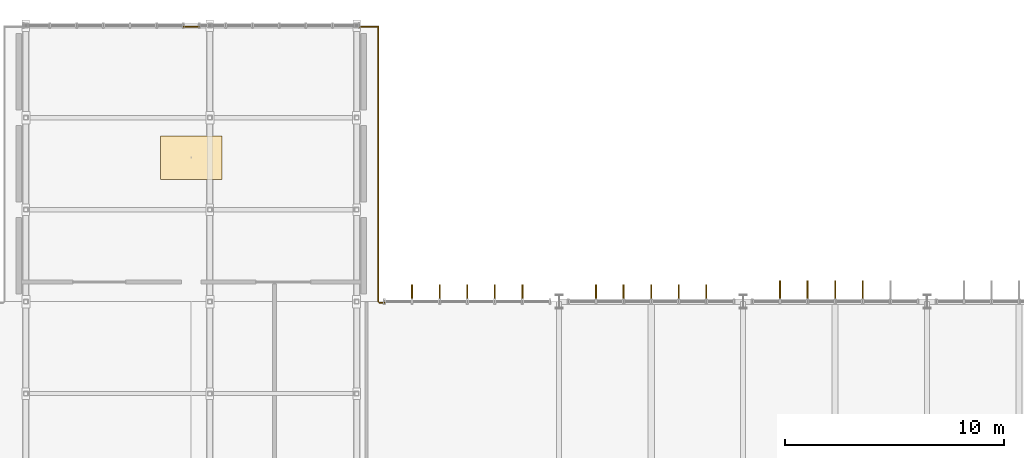
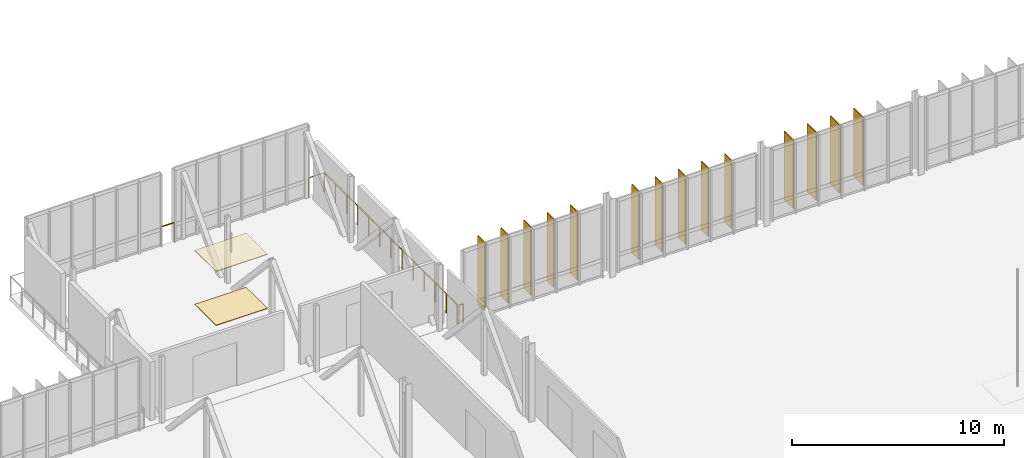
# One storey, part 137 of 139: 14 shading devices, 9 railings, 2 coverings.
"""IFC4 building model written with IfcOpenShell, lengths in metres."""

from ifc_helpers import new_model, si_unit, derived_unit, direction, frame, origin, origin_2d, place, context, subcontext, project, spatial, polyline, rectangle, circle, outline, extrude, material, layer, layer_set, type_object, element, save


model = new_model("IFC4")

# Units and contexts
model_context = context("Model", 3, precision=1e-05, world=origin(), true_north=direction((0.0, 1.0)))
body_context = subcontext(model_context, "Body", "Model", "MODEL_VIEW")
ifc_project = project(units=[si_unit("LENGTHUNIT", "METRE"), si_unit("AREAUNIT", "SQUARE_METRE"), si_unit("VOLUMEUNIT", "CUBIC_METRE"), si_unit("PLANEANGLEUNIT", "RADIAN"), si_unit("MASSUNIT", "GRAM", prefix="KILO"), derived_unit("THERMALTRANSMITTANCEUNIT", [(si_unit("MASSUNIT", "GRAM", prefix="KILO"), 1), (si_unit("TIMEUNIT", "SECOND"), -3), (si_unit("THERMODYNAMICTEMPERATUREUNIT", "KELVIN"), -1)])], contexts=[model_context])

# Site, building, storey
site_placement = place(None, origin())
site = spatial("IfcSite", under=ifc_project, at=site_placement, CompositionType="ELEMENT")
building_placement = place(site_placement, origin())
building = spatial("IfcBuilding", under=site, at=building_placement, Name="Makaiwela Harbour Ferry Terminal", CompositionType="ELEMENT")
storey_placement = place(building_placement, frame((0.0, 0.0, 5.10009765625)))
storey = spatial("IfcBuildingStorey", under=building, at=storey_placement, Name="L01", CompositionType="ELEMENT", Elevation=5.10009765625)

# Shading devices
ifc_material_1 = material(Name="Marine anodised aluminium 6063-T6", Category="aluminium")
ifc_layer_1 = layer(ifc_material_1, 0.054931640625)
ifc_layer_set_1 = layer_set([ifc_layer_1], Name="Marine anodised aluminium 6063-T6")
shading_device_type_1 = type_object("IfcShadingDeviceType", Name="ENV-FIN-650", PredefinedType="USERDEFINED", material=ifc_layer_set_1)
for number, where, z_axis, x_axis, name in (
    (1, (106.679931640625, 103.837890625, 0.161865234375), (0.0, 0.0, 1.0), (0.0, 1.0, 0.0), "Vertical Solar Fin SFN-0258"),
    (2, (107.93994140625, 103.837890625, 0.161865234375), (0.0, 0.0, 1.0), (0.0, 1.0, 0.0), "Vertical Solar Fin SFN-0259"),
    (3, (109.199951171875, 103.837890625, 0.161865234375), (0.0, 0.0, 1.0), (0.0, 1.0, 0.0), "Vertical Solar Fin SFN-0260"),
    (4, (110.4599609375, 103.837890625, 0.161865234375), (0.0, 0.0, 1.0), (0.0, 1.0, 0.0), "Vertical Solar Fin SFN-0261"),
    (5, (111.719970703125, 103.837890625, 0.161865234375), (0.0, 0.0, 1.0), (0.0, 1.0, 0.0), "Vertical Solar Fin SFN-0262"),
    (6, (115.080078125, 103.837890625, 0.161865234375), (0.0, 0.0, 1.0), (0.0, 1.0, 0.0), "Vertical Solar Fin SFN-0273"),
    (7, (116.340087890625, 103.837890625, 0.161865234375), (0.0, 0.0, 1.0), (0.0, 1.0, 0.0), "Vertical Solar Fin SFN-0274"),
    (8, (117.60009765625, 103.837890625, 0.161865234375), (0.0, 0.0, 1.0), (0.0, 1.0, 0.0), "Vertical Solar Fin SFN-0275"),
    (9, (118.860107421875, 103.837890625, 0.161865234375), (0.0, 0.0, 1.0), (0.0, 1.0, 0.0), "Vertical Solar Fin SFN-0276"),
    (10, (120.1201171875, 103.837890625, 0.161865234375), (0.0, 0.0, 1.0), (0.0, 1.0, 0.0), "Vertical Solar Fin SFN-0277"),
):
    element("IfcShadingDevice", number, at=place(storey_placement, frame(where, z_axis=z_axis, x_axis=x_axis)), inside=storey, type_object=shading_device_type_1, Name=name, ObjectType="SOLAR FIN", PredefinedType="USERDEFINED", context=body_context, shape_type="SweptSolid", body=[
        extrude(rectangle(XDim=0.64990234375, YDim=0.054931640625, at=origin_2d()), origin(), (0.0, 0.0, 1.0), 3.93994140625),
    ])
ifc_material_2 = material(Name="Thermally modified Accoya timber and anodised aluminium", Category="wood")
ifc_layer_2 = layer(ifc_material_2, 0.06005859375)
ifc_layer_set_2 = layer_set([ifc_layer_2], Name="Thermally modified Accoya timber and anodised aluminium")
shading_device_type_2 = type_object("IfcShadingDeviceType", Name="ENV-FIN-850", PredefinedType="USERDEFINED", material=ifc_layer_set_2)
for number, where, z_axis, x_axis, name in (
    (11, (123.47998046875, 103.93798828125, 0.161865234375), (0.0, 0.0, 1.0), (0.0, 1.0, 0.0), "Vertical Solar Fin SFN-0293"),
    (12, (124.739990234375, 103.93798828125, 0.161865234375), (0.0, 0.0, 1.0), (0.0, 1.0, 0.0), "Vertical Solar Fin SFN-0294"),
    (13, (126.0, 103.93798828125, 0.161865234375), (0.0, 0.0, 1.0), (0.0, 1.0, 0.0), "Vertical Solar Fin SFN-0295"),
    (14, (127.260009765625, 103.93798828125, 0.161865234375), (0.0, 0.0, 1.0), (0.0, 1.0, 0.0), "Vertical Solar Fin SFN-0296"),
):
    element("IfcShadingDevice", number, at=place(storey_placement, frame(where, z_axis=z_axis, x_axis=x_axis)), inside=storey, type_object=shading_device_type_2, Name=name, ObjectType="SOLAR FIN", PredefinedType="USERDEFINED", context=body_context, shape_type="SweptSolid", body=[
        extrude(rectangle(XDim=0.85009765625, YDim=0.06005859375, at=origin_2d()), origin(), (0.0, 0.0, 1.0), 3.93994140625),
    ])

# Coverings
ifc_material_3 = material(Name="Thermally modified Accoya timber acoustic slat ceiling", Category="wood")
ifc_layer_3 = layer(ifc_material_3, 0.0400390625)
ifc_layer_set_3 = layer_set([ifc_layer_3], Name="Thermally modified Accoya timber acoustic slat ceiling")
covering_type_1 = type_object("IfcCoveringType", Name="INT-COV-CEIL", PredefinedType="CEILING", material=ifc_layer_set_3)
covering_1_placement = place(storey_placement, frame((0.0, 0.0, 3.099853515625)))
element("IfcCovering", 15, at=covering_1_placement, inside=storey, type_object=covering_type_1, Name="Acoustic Timber Ceiling CLG-034", PredefinedType="CEILING", context=body_context, shape_type="SweptSolid", body=[
    extrude(outline(polyline([(95.199951171875, 108.97509765625), (98.0, 108.97509765625), (98.0, 110.97509765625), (95.199951171875, 110.97509765625), (95.199951171875, 108.97509765625)])), origin(), (0.0, 0.0, 1.0), 0.0400390625),
])
ifc_material_4 = material(Name="Honed coral-aggregate epoxy terrazzo flooring", Category="concrete")
ifc_layer_4 = layer(ifc_material_4, 0.02490234375)
ifc_layer_set_4 = layer_set([ifc_layer_4], Name="Honed coral-aggregate epoxy terrazzo flooring")
covering_type_2 = type_object("IfcCoveringType", Name="INT-COV-FLR", PredefinedType="FLOORING", material=ifc_layer_set_4)
covering_2_placement = place(storey_placement, origin())
element("IfcCovering", 16, at=covering_2_placement, inside=storey, type_object=covering_type_2, Name="Terrazzo Flooring FLG-034", PredefinedType="FLOORING", context=body_context, shape_type="SweptSolid", body=[
    extrude(outline(polyline([(95.199951171875, 108.97509765625), (98.0, 108.97509765625), (98.0, 110.97509765625), (95.199951171875, 110.97509765625), (95.199951171875, 108.97509765625)])), origin(), (0.0, 0.0, 1.0), 0.02490234375),
])

# Railings
ifc_material_5 = material(Name="Marine grade 316L brushed stainless steel", Category="steel")
railing_type = type_object("IfcRailingType", Name="INT-RL-GRD110", PredefinedType="GUARDRAIL", material=ifc_material_5)
railing_1_placement = place(storey_placement, frame((96.239990234375, 115.955078125, 0.0)))
element("IfcRailing", 17, at=railing_1_placement, inside=storey, type_object=railing_type, Name="Deck edge guardrail RL-0312", PredefinedType="GUARDRAIL", context=body_context, shape_type="SweptSolid", body=[
    extrude(circle(Radius=0.02392578125, at=origin_2d()), frame((0.0, 0.0, 1.09619140625), z_axis=(1.0, 0.0, 0.0), x_axis=(0.0, 1.0, 0.0)), (0.0, 0.0, 1.0), 0.719970703125),
    extrude(circle(Radius=0.02099609375, at=origin_2d()), origin(), (0.0, 0.0, 1.0), 1.072021484375),
    extrude(circle(Radius=0.02099609375, at=origin_2d()), frame((0.719970703125, 0.0, 0.0)), (0.0, 0.0, 1.0), 1.072021484375),
])
railing_2_placement = place(storey_placement, frame((104.27001953125, 115.955078125, 0.0)))
element("IfcRailing", 18, at=railing_2_placement, inside=storey, type_object=railing_type, Name="Deck edge guardrail RL-0313", PredefinedType="GUARDRAIL", context=body_context, shape_type="SweptSolid", body=[
    extrude(circle(Radius=0.02392578125, at=origin_2d()), frame((0.0, 0.0, 1.09619140625), z_axis=(1.0, 0.0, 0.0), x_axis=(0.0, 1.0, 0.0)), (0.0, 0.0, 1.0), 0.864990234375),
    extrude(circle(Radius=0.02099609375, at=origin_2d()), origin(), (0.0, 0.0, 1.0), 1.072021484375),
    extrude(circle(Radius=0.02099609375, at=origin_2d()), frame((0.864990234375, 0.0, 0.0)), (0.0, 0.0, 1.0), 1.072021484375),
])
railing_3_placement = place(storey_placement, frame((105.135009765625, 115.955078125, 0.0)))
element("IfcRailing", 19, at=railing_3_placement, inside=storey, type_object=railing_type, Name="Deck edge guardrail RL-0314", PredefinedType="GUARDRAIL", context=body_context, shape_type="SweptSolid", body=[
    extrude(circle(Radius=0.02392578125, at=origin_2d()), frame((0.0, 0.0, 1.09619140625), z_axis=(0.0, -1.0, 0.0), x_axis=(1.0, 0.0, 0.0)), (0.0, 0.0, 1.0), 2.08935546875),
    extrude(circle(Radius=0.02099609375, at=origin_2d()), origin(), (0.0, 0.0, 1.0), 1.072021484375),
    extrude(circle(Radius=0.02099609375, at=origin_2d()), frame((0.0, -1.044677734375, 0.0)), (0.0, 0.0, 1.0), 1.072021484375),
    extrude(circle(Radius=0.02099609375, at=origin_2d()), frame((0.0, -2.08935546875, 0.0)), (0.0, 0.0, 1.0), 1.072021484375),
])
for number, where, name in (
    (20, (105.135009765625, 113.86572265625, 0.0), "Deck edge guardrail RL-0315"),
    (21, (105.135009765625, 111.776611328125, 0.0), "Deck edge guardrail RL-0316"),
    (22, (105.135009765625, 109.6875, 0.0), "Deck edge guardrail RL-0317"),
    (23, (105.135009765625, 107.598388671875, 0.0), "Deck edge guardrail RL-0318"),
):
    element("IfcRailing", number, at=place(storey_placement, frame(where)), inside=storey, type_object=railing_type, Name=name, PredefinedType="GUARDRAIL", context=body_context, shape_type="SweptSolid", body=[
        extrude(circle(Radius=0.02392578125, at=origin_2d()), frame((0.0, 0.0, 1.09619140625), z_axis=(0.0, -1.0, 0.0), x_axis=(1.0, 0.0, 0.0)), (0.0, 0.0, 1.0), 2.089111328125),
        extrude(circle(Radius=0.02099609375, at=origin_2d()), origin(), (0.0, 0.0, 1.0), 1.072021484375),
        extrude(circle(Radius=0.02099609375, at=origin_2d()), frame((0.0, -1.04443359375, 0.0)), (0.0, 0.0, 1.0), 1.072021484375),
        extrude(circle(Radius=0.02099609375, at=origin_2d()), frame((0.0, -2.089111328125, 0.0)), (0.0, 0.0, 1.0), 1.072021484375),
    ])
railing_4_placement = place(storey_placement, frame((105.135009765625, 105.50927734375, 0.0)))
element("IfcRailing", 24, at=railing_4_placement, inside=storey, type_object=railing_type, Name="Deck edge guardrail RL-0319", PredefinedType="GUARDRAIL", context=body_context, shape_type="SweptSolid", body=[
    extrude(circle(Radius=0.02392578125, at=origin_2d()), frame((0.0, 0.0, 1.09619140625), z_axis=(0.0, -1.0, 0.0), x_axis=(1.0, 0.0, 0.0)), (0.0, 0.0, 1.0), 2.08935546875),
    extrude(circle(Radius=0.02099609375, at=origin_2d()), origin(), (0.0, 0.0, 1.0), 1.072021484375),
    extrude(circle(Radius=0.02099609375, at=origin_2d()), frame((0.0, -1.044677734375, 0.0)), (0.0, 0.0, 1.0), 1.072021484375),
    extrude(circle(Radius=0.02099609375, at=origin_2d()), frame((0.0, -2.08935546875, 0.0)), (0.0, 0.0, 1.0), 1.072021484375),
])
railing_5_placement = place(storey_placement, frame((105.185302734375, 103.356689453125, 0.0)))
element("IfcRailing", 25, at=railing_5_placement, inside=storey, type_object=railing_type, Name="Deck edge guardrail RL-0320", PredefinedType="GUARDRAIL", context=body_context, shape_type="SweptSolid", body=[
    extrude(circle(Radius=0.02392578125, at=origin_2d()), frame((0.0, 0.0, 1.09619140625), z_axis=(0.999973472152, -0.007283885853, 0.0), x_axis=(0.007283885853, 0.999973472152, 0.0)), (0.0, 0.0, 1.0), 0.234619140625),
    extrude(circle(Radius=0.02099609375, at=origin_2d()), origin(), (0.0, 0.0, 1.0), 1.072021484375),
    extrude(circle(Radius=0.02099609375, at=origin_2d()), frame((0.234619140625, -0.001708984375, 0.0)), (0.0, 0.0, 1.0), 1.072021484375),
])

save(model, "model.ifc")
